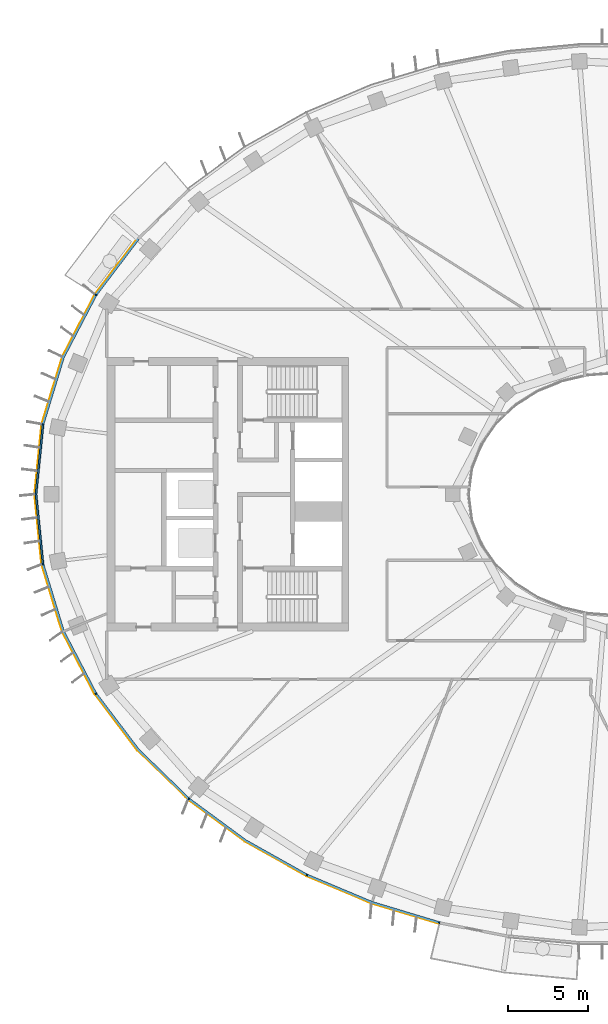
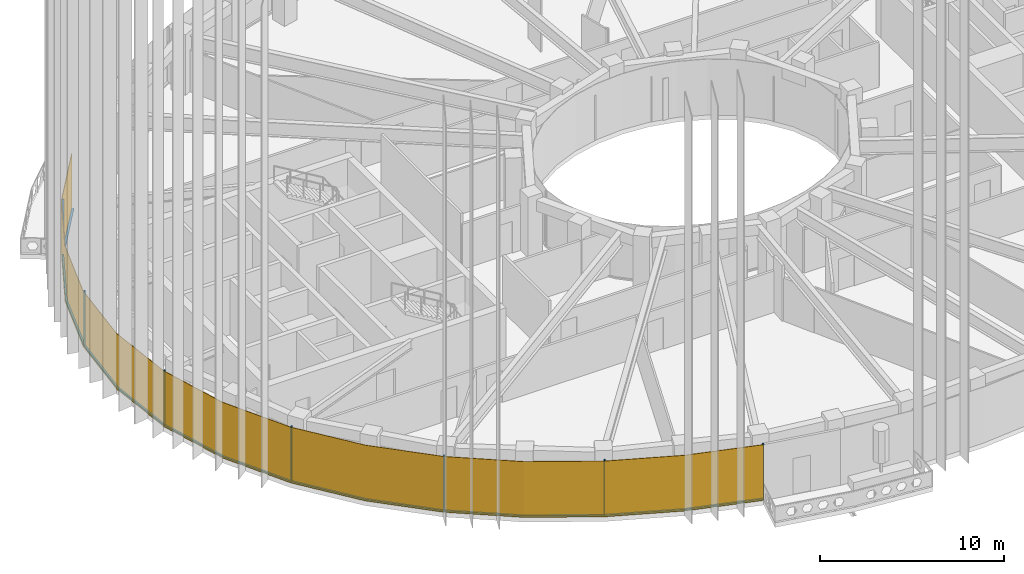
# One storey, part 8 of 17: 14 members, 1 curtain wall.
"""IFC4 building model written with IfcOpenShell, lengths in metres."""

from ifc_helpers import new_model, si_unit, direction, frame, origin, origin_2d, place, context, subcontext, project, spatial, polyline, rectangle, outline, extrude, material, layer, layer_set, material_profile, profile_set, type_object, element, aggregate, save


model = new_model("IFC4")

# Units and contexts
model_context = context("Model", 3, precision=1e-05, world=origin(), true_north=direction((0.0, 1.0)))
body_context = subcontext(model_context, "Body", "Model", "MODEL_VIEW")
ifc_project = project(units=[si_unit("LENGTHUNIT", "METRE"), si_unit("AREAUNIT", "SQUARE_METRE"), si_unit("VOLUMEUNIT", "CUBIC_METRE"), si_unit("PLANEANGLEUNIT", "RADIAN"), si_unit("MASSUNIT", "GRAM", prefix="KILO")], contexts=[model_context])

# Member
ifc_material_1 = material(Name="Aluminium 6063-T6 black anodised", Category="aluminium")
ifc_material_profile = material_profile(ifc_material_1, rectangle(XDim=0.1201171875, YDim=0.06005859375, at=origin_2d()), Name="120x60")
ifc_profile_set = profile_set([ifc_material_profile], Name="Aluminium 6063-T6 black anodised")
member_type_1 = type_object("IfcMemberType", Name="ENV-MULLION-A-120", PredefinedType="MULLION", material=ifc_profile_set)
site_placement = place(None, origin())
building_placement = place(site_placement, origin())
storey_placement = place(building_placement, frame((0.0, 0.0, 291.0)))
member_1_placement = place(storey_placement, frame((-32.177490234375, 12.385498046875, 0.0), z_axis=(0.0, 0.0, 1.0), x_axis=(0.844829880882, -0.53503501976, 0.0)))
member_1 = element("IfcMember", 1, at=member_1_placement, type_object=member_type_1, Name="Mullion A radial 21", PredefinedType="MULLION", context=body_context, shape_type="SweptSolid", body=[
    extrude(rectangle(XDim=0.1201171875, YDim=0.06005859375, at=origin_2d()), origin(), (0.0, 0.0, 1.0), 3.699951171875),
])

member_2_placement = place(storey_placement, frame((-35.470947265625, 4.340576171875, 0.0), z_axis=(0.0, 0.0, 1.0), x_axis=(0.980379083141, -0.19712141776, 0.0)))
member_2 = element("IfcMember", 2, at=member_2_placement, type_object=member_type_1, Name="Mullion A radial 23", PredefinedType="MULLION", context=body_context, shape_type="SweptSolid", body=[
    extrude(rectangle(XDim=0.1201171875, YDim=0.06005859375, at=origin_2d()), origin(), (0.0, 0.0, 1.0), 3.699951171875),
])

member_3_placement = place(storey_placement, frame((-35.470947265625, -4.340576171875, 0.0), z_axis=(0.0, 0.0, 1.0), x_axis=(0.980379083141, 0.19712141776, 0.0)))
member_3 = element("IfcMember", 3, at=member_3_placement, type_object=member_type_1, Name="Mullion A radial 25", PredefinedType="MULLION", context=body_context, shape_type="SweptSolid", body=[
    extrude(rectangle(XDim=0.1201171875, YDim=0.06005859375, at=origin_2d()), origin(), (0.0, 0.0, 1.0), 3.699951171875),
])

member_4_placement = place(storey_placement, frame((-32.177490234375, -12.385498046875, 0.0), z_axis=(0.0, 0.0, 1.0), x_axis=(0.844829880882, 0.53503501976, 0.0)))
member_4 = element("IfcMember", 4, at=member_4_placement, type_object=member_type_1, Name="Mullion A radial 27", PredefinedType="MULLION", context=body_context, shape_type="SweptSolid", body=[
    extrude(rectangle(XDim=0.1201171875, YDim=0.06005859375, at=origin_2d()), origin(), (0.0, 0.0, 1.0), 3.699951171875),
])

member_5_placement = place(storey_placement, frame((-26.403564453125, -18.9130859375, 0.0), z_axis=(0.0, 0.0, 1.0), x_axis=(0.646451313783, 0.762955240435, 0.0)))
member_5 = element("IfcMember", 5, at=member_5_placement, type_object=member_type_1, Name="Mullion A radial 29", PredefinedType="MULLION", context=body_context, shape_type="SweptSolid", body=[
    extrude(rectangle(XDim=0.1201171875, YDim=0.06005859375, at=origin_2d()), origin(), (0.0, 0.0, 1.0), 3.699951171875),
])

member_6_placement = place(storey_placement, frame((-19.06787109375, -23.6474609375, 0.0), z_axis=(0.0, 0.0, 1.0), x_axis=(0.439237769837, 0.898370848563, 0.0)))
member_6 = element("IfcMember", 6, at=member_6_placement, type_object=member_type_1, Name="Mullion A radial 31", PredefinedType="MULLION", context=body_context, shape_type="SweptSolid", body=[
    extrude(rectangle(XDim=0.1201171875, YDim=0.06005859375, at=origin_2d()), origin(), (0.0, 0.0, 1.0), 3.699951171875),
])

member_7_placement = place(storey_placement, frame((-10.84326171875, -26.60498046875, 0.0), z_axis=(0.0, 0.0, 1.0), x_axis=(0.239799081534, 0.970822538106, 0.0)))
member_7 = element("IfcMember", 7, at=member_7_placement, type_object=member_type_1, Name="Mullion A radial 33", PredefinedType="MULLION", context=body_context, shape_type="SweptSolid", body=[
    extrude(rectangle(XDim=0.1201171875, YDim=0.06005859375, at=origin_2d()), origin(), (0.0, 0.0, 1.0), 3.699951171875),
])

ifc_material_2 = material(Name="Aluminium 6063-T6 black anodised", Category="aluminium")
member_type_2 = type_object("IfcMemberType", Name="ENV-TRANSOM-A", PredefinedType="USERDEFINED", material=ifc_material_2)
member_8_placement = place(storey_placement, origin())
member_8 = element("IfcMember", 8, at=member_8_placement, type_object=member_type_2, Name="Transom A radial 20-21", ObjectType="TRANSOM", PredefinedType="USERDEFINED", context=body_context, shape_type="SweptSolid", body=[
    extrude(outline(polyline([(-29.595703125, 15.890869140625), (-32.211181640625, 12.43994140625), (-32.109375, 12.37548828125), (-29.505615234375, 15.811279296875), (-29.595703125, 15.890869140625)])), origin(), (0.0, 0.0, 1.0), 0.10009765625),
])

member_9_placement = place(storey_placement, origin())
member_9 = element("IfcMember", 9, at=member_9_placement, type_object=member_type_2, Name="Transom A radial 21-23", ObjectType="TRANSOM", PredefinedType="USERDEFINED", context=body_context, shape_type="SweptSolid", body=[
    extrude(outline(polyline([(-32.240966796875, 12.392578125), (-34.251220703125, 8.53662109375), (-35.521484375, 4.379150390625), (-35.4033203125, 4.355224609375), (-34.139892578125, 8.490966796875), (-32.139404296875, 12.328369140625), (-32.240966796875, 12.392578125)])), origin(), (0.0, 0.0, 1.0), 0.10009765625),
])

member_10_placement = place(storey_placement, origin())
member_10 = element("IfcMember", 10, at=member_10_placement, type_object=member_type_2, Name="Transom A radial 23-25", ObjectType="TRANSOM", PredefinedType="USERDEFINED", context=body_context, shape_type="SweptSolid", body=[
    extrude(outline(polyline([(-35.532470703125, 4.324462890625), (-35.9677734375, 0.0), (-35.532470703125, -4.324462890625), (-35.414306640625, -4.30078125), (-35.84716796875, 0.0), (-35.414306640625, 4.30078125), (-35.532470703125, 4.324462890625)])), origin(), (0.0, 0.0, 1.0), 0.10009765625),
])

member_11_placement = place(storey_placement, origin())
member_11 = element("IfcMember", 11, at=member_11_placement, type_object=member_type_2, Name="Transom A radial 25-27", ObjectType="TRANSOM", PredefinedType="USERDEFINED", context=body_context, shape_type="SweptSolid", body=[
    extrude(outline(polyline([(-35.521484375, -4.379150390625), (-34.251220703125, -8.53662109375), (-32.240966796875, -12.392578125), (-32.139404296875, -12.328369140625), (-34.139892578125, -8.490966796875), (-35.4033203125, -4.355224609375), (-35.521484375, -4.379150390625)])), origin(), (0.0, 0.0, 1.0), 0.10009765625),
])

member_12_placement = place(storey_placement, origin())
member_12 = element("IfcMember", 12, at=member_12_placement, type_object=member_type_2, Name="Transom A radial 27-29", ObjectType="TRANSOM", PredefinedType="USERDEFINED", context=body_context, shape_type="SweptSolid", body=[
    extrude(outline(polyline([(-32.211181640625, -12.43994140625), (-29.58349609375, -15.906982421875), (-26.46240234375, -18.939208984375), (-26.384765625, -18.847412109375), (-29.493408203125, -15.8271484375), (-32.109375, -12.37548828125), (-32.211181640625, -12.43994140625)])), origin(), (0.0, 0.0, 1.0), 0.10009765625),
])

member_13_placement = place(storey_placement, origin())
member_13 = element("IfcMember", 13, at=member_13_placement, type_object=member_type_2, Name="Transom A radial 29-31", ObjectType="TRANSOM", PredefinedType="USERDEFINED", context=body_context, shape_type="SweptSolid", body=[
    extrude(outline(polyline([(-26.419921875, -18.975341796875), (-22.9150390625, -21.556884765625), (-19.11865234375, -23.687744140625), (-19.06591796875, -23.57958984375), (-22.85009765625, -21.455810546875), (-26.342041015625, -18.883544921875), (-26.419921875, -18.975341796875)])), origin(), (0.0, 0.0, 1.0), 0.10009765625),
])

member_14_placement = place(storey_placement, origin())
member_14 = element("IfcMember", 14, at=member_14_placement, type_object=member_type_2, Name="Transom A radial 31-33", ObjectType="TRANSOM", PredefinedType="USERDEFINED", context=body_context, shape_type="SweptSolid", body=[
    extrude(outline(polyline([(-19.068359375, -23.71240234375), (-15.054443359375, -25.400146484375), (-10.884521484375, -26.655029296875), (-10.855712890625, -26.53857421875), (-15.013916015625, -25.287109375), (-19.015380859375, -23.604248046875), (-19.068359375, -23.71240234375)])), origin(), (0.0, 0.0, 1.0), 0.10009765625),
])

# Site, building, storey
site = spatial("IfcSite", under=ifc_project, at=site_placement, CompositionType="ELEMENT")
building = spatial("IfcBuilding", under=site, at=building_placement, Name="Noorbagh Ring Tower", CompositionType="ELEMENT")
storey = spatial("IfcBuildingStorey", under=building, at=storey_placement, Name="L62", CompositionType="ELEMENT", Elevation=291.0)

# Curtain wall
ifc_material_3 = material(Name="Glass dark tinted laminated", Category="glass")
ifc_layer = layer(ifc_material_3, 0.031982421875)
ifc_layer_set = layer_set([ifc_layer], Name="Glass dark tinted laminated")
curtain_wall_type = type_object("IfcCurtainWallType", Name="ENV-CW-A", PredefinedType="NOTDEFINED", material=ifc_layer_set)
curtain_wall_placement = place(storey_placement, origin())
curtain_wall = element("IfcCurtainWall", 15, at=curtain_wall_placement, inside=storey, type_object=curtain_wall_type, Name="Curtain wall A R20", PredefinedType="NOTDEFINED", context=body_context, shape_type="SweptSolid", body=[
    extrude(outline(polyline([(-29.61962890625, 15.912109375), (-32.255126953125, 12.434814453125), (-34.281005859375, 8.548828125), (-35.561279296875, 4.358642578125), (-36.0, 0.0), (-35.561279296875, -4.358642578125), (-34.281005859375, -8.548828125), (-32.255126953125, -12.434814453125), (-29.607666015625, -15.927978515625), (-26.463134765625, -18.9833984375), (-22.9326171875, -21.583740234375), (-19.108154296875, -23.730224609375), (-15.065185546875, -25.430419921875), (-10.884521484375, -26.6884765625), (-10.876708984375, -26.657470703125), (-15.054443359375, -25.400146484375), (-19.093994140625, -23.701416015625), (-22.9150390625, -21.556884765625), (-26.4423828125, -18.958740234375), (-29.58349609375, -15.906982421875), (-32.22802734375, -12.41748046875), (-34.251220703125, -8.53662109375), (-35.529541015625, -4.352294921875), (-35.9677734375, 0.0), (-35.529541015625, 4.352294921875), (-34.251220703125, 8.53662109375), (-32.22802734375, 12.41748046875), (-29.595703125, 15.890869140625), (-29.61962890625, 15.912109375)])), origin(), (0.0, 0.0, 1.0), 3.699951171875),
])

aggregate(curtain_wall, [member_1, member_2, member_3, member_4, member_5, member_6, member_7, member_8, member_9, member_10, member_11, member_12, member_13, member_14])

save(model, "model.ifc")
